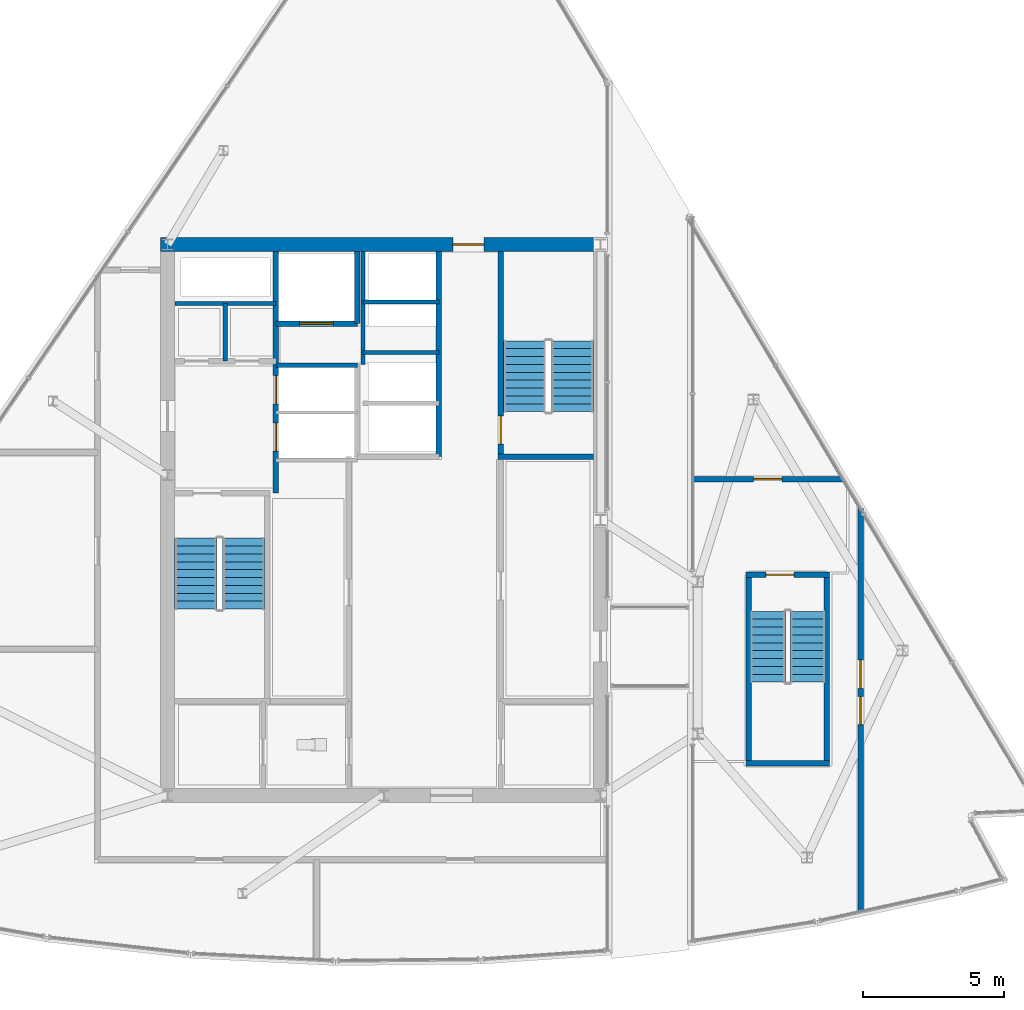
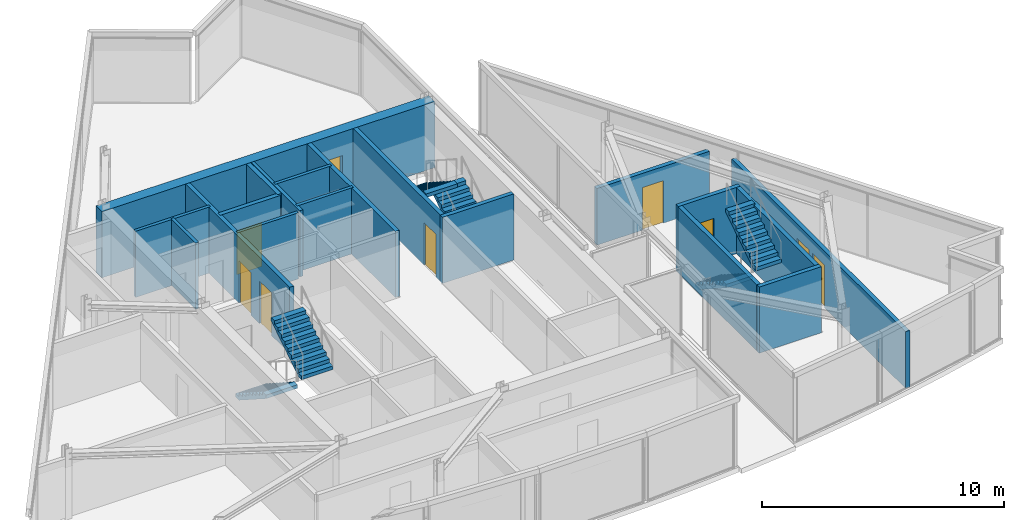
# One storey, part 10 of 15: 19 walls, 9 doors, 6 stair flights, 9 openings, 3 elements without a shape of their own.
"""IFC4 building model written with IfcOpenShell, lengths in metres."""

from ifc_helpers import new_model, si_unit, direction, frame, frame_2d, origin, place, context, subcontext, project, spatial, polyline, rectangle, outline, extrude, material, layer, layer_set, type_object, element, fill, aggregate, save


model = new_model("IFC4")

# Units and contexts
model_context = context("Model", 3, precision=1e-05, world=origin(), true_north=direction((0.0, 1.0)))
body_context = subcontext(model_context, "Body", "Model", "MODEL_VIEW")
ifc_project = project(units=[si_unit("LENGTHUNIT", "METRE"), si_unit("AREAUNIT", "SQUARE_METRE"), si_unit("VOLUMEUNIT", "CUBIC_METRE"), si_unit("PLANEANGLEUNIT", "RADIAN"), si_unit("MASSUNIT", "GRAM", prefix="KILO")], contexts=[model_context])

# Site, building, storey
site_placement = place(None, origin())
site = spatial("IfcSite", under=ifc_project, at=site_placement, CompositionType="ELEMENT")
building_placement = place(site_placement, origin())
building = spatial("IfcBuilding", under=site, at=building_placement, Name="Savorim Split Tower", CompositionType="ELEMENT")
storey_placement = place(building_placement, frame((0.0, 0.0, 297.60009765625)))
storey = spatial("IfcBuildingStorey", under=building, at=storey_placement, Name="Crown L79 Plant", CompositionType="ELEMENT", Elevation=297.60009765625)

# Wall, opening, door
ifc_material_1 = material(Name="Concrete C60/75", Category="concrete")
ifc_layer_1 = layer(ifc_material_1, 0.5)
ifc_layer_set_1 = layer_set([ifc_layer_1], Name="WAL-COR-SH500")
wall_type_1 = type_object("IfcWallType", Name="WAL-COR-SH500", PredefinedType="SHEAR", material=ifc_layer_set_1)
wall_1_placement = place(storey_placement, frame((7.949951171875, 10.199951171875, 0.0), z_axis=(0.0, 0.0, 1.0), x_axis=(-1.0, 0.0, 0.0)))
wall_1 = element("IfcWall", 1, at=wall_1_placement, inside=storey, type_object=wall_type_1, Name="Crown L79 Plant Offset Core North Shear Wall", PredefinedType="SHEAR", context=body_context, shape_type="SweptSolid", body=[
    extrude(rectangle(XDim=15.89990234375, YDim=0.5, at=frame_2d((7.949951171875, 0.0))), origin(), (0.0, 0.0, 1.0), 3.33984375),
])
opening_1_placement = place(wall_1_placement, frame((4.39990234375, 0.0, 0.0)))
opening_1 = element("IfcOpeningElement", 2, at=opening_1_placement, cuts=wall_1, Name="Opening DI-03", PredefinedType="OPENING", context=body_context, shape_type="SweptSolid", body=[
    extrude(rectangle(XDim=1.10009765625, YDim=2.14990234375, at=frame_2d((0.550048828125, 1.074951171875))), frame((0.0, 0.260009765625, 0.0), z_axis=(0.0, -1.0, 0.0), x_axis=(1.0, 0.0, 0.0)), (0.0, 0.0, 1.0), 0.52001953125),
])
ifc_material_2 = material(Name="Timber Fire Door Leaf", Category="wood")
door_type_1 = type_object("IfcDoorType", Name="DOR-FIR-1100", OperationType="NOTDEFINED", PredefinedType="DOOR", material=ifc_material_2)
door_1_placement = place(opening_1_placement, origin())
door_1 = element("IfcDoor", 3, at=door_1_placement, inside=storey, type_object=door_type_1, Name="DOR-Crown-L79-Plant-COR-NLOB - Crown L79 Plant North Corridor Lobby Fire Door", OperationType="SINGLE_SWING_RIGHT", OverallHeight=2.14990234375, OverallWidth=1.10009765625, PredefinedType="DOOR", context=body_context, shape_type="SweptSolid", body=[
    extrude(rectangle(XDim=1.10009765625, YDim=2.14990234375, at=frame_2d((0.550048828125, 1.074951171875))), frame((0.0, 0.02490234375, 0.0), z_axis=(0.0, -1.0, 0.0), x_axis=(1.0, 0.0, 0.0)), (0.0, 0.0, 1.0), 0.050048828125),
])
fill(opening_1, door_1)

# Wall, openings, doors
ifc_material_3 = material(Name="Concrete C50/60", Category="concrete")
ifc_layer_2 = layer(ifc_material_3, 0.199951171875)
ifc_layer_set_2 = layer_set([ifc_layer_2], Name="WAL-INT-RC200")
wall_type_2 = type_object("IfcWallType", Name="WAL-INT-RC200", PredefinedType="SOLIDWALL", material=ifc_layer_set_2)
wall_2_placement = place(storey_placement, frame((-3.85009765625, 1.35009765625, 0.0), z_axis=(0.0, 0.0, 1.0), x_axis=(0.0, 1.0, 0.0)))
wall_2 = element("IfcWall", 4, at=wall_2_placement, inside=storey, type_object=wall_type_2, Name="Crown L79 Plant Partition W-Crown-L79-Plant-CR03", PredefinedType="SOLIDWALL", context=body_context, shape_type="SweptSolid", body=[
    extrude(rectangle(XDim=8.594970703125, YDim=0.199951171875, at=frame_2d((4.29736328125, 0.0))), origin(), (0.0, 0.0, 1.0), 3.33984375),
])
opening_2_placement = place(wall_2_placement, frame((1.5, 0.0, 0.0)))
opening_2 = element("IfcOpeningElement", 5, at=opening_2_placement, cuts=wall_2, Name="Opening LD-FFL", PredefinedType="OPENING", context=body_context, shape_type="SweptSolid", body=[
    extrude(rectangle(XDim=1.0, YDim=2.14990234375, at=frame_2d((0.5, 1.074951171875))), frame((0.0, 0.10986328125, 0.0), z_axis=(0.0, -1.0, 0.0), x_axis=(1.0, 0.0, 0.0)), (0.0, 0.0, 1.0), 0.219970703125),
])
opening_3_placement = place(wall_2_placement, frame((3.179931640625, 0.0, 0.0)))
opening_3 = element("IfcOpeningElement", 6, at=opening_3_placement, cuts=wall_2, Name="Opening LD-FFL", PredefinedType="OPENING", context=body_context, shape_type="SweptSolid", body=[
    extrude(rectangle(XDim=1.0, YDim=2.14990234375, at=frame_2d((0.5, 1.074951171875))), frame((0.0, 0.10986328125, 0.0), z_axis=(0.0, -1.0, 0.0), x_axis=(1.0, 0.0, 0.0)), (0.0, 0.0, 1.0), 0.219970703125),
])
ifc_material_4 = material(Name="Charcoal Anodised Aluminium", Category="aluminium")
door_type_2 = type_object("IfcDoorType", Name="DOR-SLD-LD1000", OperationType="NOTDEFINED", PredefinedType="DOOR", material=ifc_material_4)
door_2_placement = place(opening_2_placement, origin())
door_2 = element("IfcDoor", 7, at=door_2_placement, inside=storey, type_object=door_type_2, Name="DR-Crown-L79-Plant-LD-FFL1 - Crown L79 Plant Firefighting Lift FFL-1 Sliding Landing Door", OperationType="DOUBLE_DOOR_SLIDING", OverallHeight=2.14990234375, OverallWidth=1.0, PredefinedType="DOOR", context=body_context, shape_type="SweptSolid", body=[
    extrude(rectangle(XDim=1.0, YDim=2.14990234375, at=frame_2d((0.5, 1.074951171875))), frame((0.0, 0.02490234375, 0.0), z_axis=(0.0, -1.0, 0.0), x_axis=(1.0, 0.0, 0.0)), (0.0, 0.0, 1.0), 0.050048828125),
])
fill(opening_2, door_2)
door_3_placement = place(opening_3_placement, origin())
door_3 = element("IfcDoor", 8, at=door_3_placement, inside=storey, type_object=door_type_2, Name="DR-Crown-L79-Plant-LD-FFL2 - Crown L79 Plant Firefighting Lift FFL-2 Sliding Landing Door", OperationType="DOUBLE_DOOR_SLIDING", OverallHeight=2.14990234375, OverallWidth=1.0, PredefinedType="DOOR", context=body_context, shape_type="SweptSolid", body=[
    extrude(rectangle(XDim=1.0, YDim=2.14990234375, at=frame_2d((0.5, 1.074951171875))), frame((0.0, 0.02490234375, 0.0), z_axis=(0.0, -1.0, 0.0), x_axis=(1.0, 0.0, 0.0)), (0.0, 0.0, 1.0), 0.050048828125),
])
fill(opening_3, door_3)

# Wall, opening, door
wall_3_placement = place(storey_placement, frame((4.14990234375, 2.75, 0.0), z_axis=(0.0, 0.0, 1.0), x_axis=(0.0, 1.0, 0.0)))
wall_3 = element("IfcWall", 9, at=wall_3_placement, inside=storey, type_object=wall_type_2, Name="Crown L79 Plant Structural Shaft Wall W-Crown-L79-Plant-CR07", PredefinedType="SOLIDWALL", context=body_context, shape_type="SweptSolid", body=[
    extrude(rectangle(XDim=7.199951171875, YDim=0.199951171875, at=frame_2d((3.60009765625, 0.0))), origin(), (0.0, 0.0, 1.0), 3.33984375),
])
opening_4_placement = place(wall_3_placement, frame((0.35009765625, 0.0, 0.0)))
opening_4 = element("IfcOpeningElement", 10, at=opening_4_placement, cuts=wall_3, Name="Opening DI-04", PredefinedType="OPENING", context=body_context, shape_type="SweptSolid", body=[
    extrude(rectangle(XDim=1.0, YDim=2.14990234375, at=frame_2d((0.5, 1.074951171875))), frame((0.0, 0.10986328125, 0.0), z_axis=(0.0, -1.0, 0.0), x_axis=(1.0, 0.0, 0.0)), (0.0, 0.0, 1.0), 0.219970703125),
])
door_type_3 = type_object("IfcDoorType", Name="DOR-FIR-1000", OperationType="NOTDEFINED", PredefinedType="DOOR", material=ifc_material_2)
door_4_placement = place(opening_4_placement, origin())
door_4 = element("IfcDoor", 11, at=door_4_placement, inside=storey, type_object=door_type_3, Name="DR-Crown-L79-Plant-ST2 - Crown L79 Plant Stair ST-2 Enclosure Door", OperationType="SINGLE_SWING_RIGHT", OverallHeight=2.14990234375, OverallWidth=1.0, PredefinedType="DOOR", context=body_context, shape_type="SweptSolid", body=[
    extrude(rectangle(XDim=1.0, YDim=2.14990234375, at=frame_2d((0.5, 1.074951171875))), frame((0.0, 0.02490234375, 0.0), z_axis=(0.0, -1.0, 0.0), x_axis=(1.0, 0.0, 0.0)), (0.0, 0.0, 1.0), 0.050048828125),
])
fill(opening_4, door_4)

# Wall
wall_4_placement = place(storey_placement, frame((4.050048828125, 2.64990234375, 0.0), z_axis=(0.0, 0.0, 1.0), x_axis=(1.0, 0.0, 0.0)))
element("IfcWall", 12, at=wall_4_placement, inside=storey, type_object=wall_type_2, Name="Crown L79 Plant Structural Shaft Wall W-Crown-L79-Plant-CR08", PredefinedType="SOLIDWALL", context=body_context, shape_type="SweptSolid", body=[
    extrude(rectangle(XDim=3.39990234375, YDim=0.199951171875, at=frame_2d((1.699951171875, 0.0))), origin(), (0.0, 0.0, 1.0), 3.33984375),
])

# Wall, opening, door
wall_5_placement = place(storey_placement, frame((-3.85009765625, 7.3798828125, 0.0), z_axis=(0.0, 0.0, 1.0), x_axis=(1.0, 0.0, 0.0)))
wall_5 = element("IfcWall", 13, at=wall_5_placement, inside=storey, type_object=wall_type_2, Name="Crown L79 Plant Partition W-Crown-L79-Plant-SVLS", PredefinedType="SOLIDWALL", context=body_context, shape_type="SweptSolid", body=[
    extrude(rectangle(XDim=2.900146484375, YDim=0.199951171875, at=frame_2d((1.4501953125, 0.0))), origin(), (0.0, 0.0, 1.0), 3.33984375),
])
opening_5_placement = place(wall_5_placement, frame((0.85009765625, 0.0, 0.0)))
opening_5 = element("IfcOpeningElement", 14, at=opening_5_placement, cuts=wall_5, Name="Opening LD-SV", PredefinedType="OPENING", context=body_context, shape_type="SweptSolid", body=[
    extrude(rectangle(XDim=1.199951171875, YDim=2.199951171875, at=frame_2d((0.60009765625, 1.10009765625))), frame((0.0, 0.10986328125, 0.0), z_axis=(0.0, -1.0, 0.0), x_axis=(1.0, 0.0, 0.0)), (0.0, 0.0, 1.0), 0.219970703125),
])
door_type_4 = type_object("IfcDoorType", Name="DOR-SLD-SV1200", OperationType="NOTDEFINED", PredefinedType="DOOR", material=ifc_material_4)
door_5_placement = place(opening_5_placement, origin())
door_5 = element("IfcDoor", 15, at=door_5_placement, inside=storey, type_object=door_type_4, Name="DR-Crown-L79-Plant-LD-SVL1 - Crown L79 Plant Service Lift SVL-1 Sliding Landing Door", OperationType="DOUBLE_DOOR_SLIDING", OverallHeight=2.199951171875, OverallWidth=1.199951171875, PredefinedType="DOOR", context=body_context, shape_type="SweptSolid", body=[
    extrude(rectangle(XDim=1.199951171875, YDim=2.199951171875, at=frame_2d((0.60009765625, 1.10009765625))), frame((0.0, 0.02490234375, 0.0), z_axis=(0.0, -1.0, 0.0), x_axis=(1.0, 0.0, 0.0)), (0.0, 0.0, 1.0), 0.050048828125),
])
fill(opening_5, door_5)

# Walls
wall_6_placement = place(storey_placement, frame((-0.949951171875, 7.3798828125, 0.0), z_axis=(0.0, 0.0, 1.0), x_axis=(0.0, 1.0, 0.0)))
element("IfcWall", 16, at=wall_6_placement, inside=storey, type_object=wall_type_2, Name="Crown L79 Plant Partition W-Crown-L79-Plant-SVLE", PredefinedType="SOLIDWALL", context=body_context, shape_type="SweptSolid", body=[
    extrude(rectangle(XDim=2.565185546875, YDim=0.199951171875, at=frame_2d((1.28271484375, 0.0))), origin(), (0.0, 0.0, 1.0), 3.33984375),
])
wall_7_placement = place(storey_placement, frame((1.949951171875, 2.64990234375, 0.0), z_axis=(0.0, 0.0, 1.0), x_axis=(0.0, 1.0, 0.0)))
element("IfcWall", 17, at=wall_7_placement, inside=storey, type_object=wall_type_2, Name="Crown L79 Plant Partition W-Crown-L79-Plant-B3FRONT", PredefinedType="SOLIDWALL", context=body_context, shape_type="SweptSolid", body=[
    extrude(rectangle(XDim=7.295166015625, YDim=0.199951171875, at=frame_2d((3.6474609375, 0.0))), origin(), (0.0, 0.0, 1.0), 3.33984375),
])
wall_8_placement = place(storey_placement, frame((12.8798828125, -8.25, 0.0), z_axis=(0.0, 0.0, 1.0), x_axis=(1.0, 0.0, 0.0)))
element("IfcWall", 18, at=wall_8_placement, inside=storey, type_object=wall_type_2, Name="Crown L79 Plant Structural Shaft Wall W-Crown-L79-Plant-STCES", PredefinedType="SOLIDWALL", context=body_context, shape_type="SweptSolid", body=[
    extrude(rectangle(XDim=2.97021484375, YDim=0.199951171875, at=frame_2d((1.485107421875, 0.0))), origin(), (0.0, 0.0, 1.0), 3.33984375),
])

# Wall, opening, door
wall_9_placement = place(storey_placement, frame((12.8798828125, -1.550048828125, 0.0), z_axis=(0.0, 0.0, 1.0), x_axis=(1.0, 0.0, 0.0)))
wall_9 = element("IfcWall", 19, at=wall_9_placement, inside=storey, type_object=wall_type_2, Name="Crown L79 Plant Structural Shaft Wall W-Crown-L79-Plant-STCEN", PredefinedType="SOLIDWALL", context=body_context, shape_type="SweptSolid", body=[
    extrude(rectangle(XDim=2.97021484375, YDim=0.199951171875, at=frame_2d((1.485107421875, 0.0))), origin(), (0.0, 0.0, 1.0), 3.33984375),
])
opening_6_placement = place(wall_9_placement, frame((0.699951171875, 0.0, 0.0)))
opening_6 = element("IfcOpeningElement", 20, at=opening_6_placement, cuts=wall_9, Name="Opening DI-04", PredefinedType="OPENING", context=body_context, shape_type="SweptSolid", body=[
    extrude(rectangle(XDim=1.0, YDim=2.14990234375, at=frame_2d((0.5, 1.074951171875))), frame((0.0, 0.10986328125, 0.0), z_axis=(0.0, -1.0, 0.0), x_axis=(1.0, 0.0, 0.0)), (0.0, 0.0, 1.0), 0.219970703125),
])
door_6_placement = place(opening_6_placement, origin())
door_6 = element("IfcDoor", 21, at=door_6_placement, inside=storey, type_object=door_type_3, Name="DR-Crown-L79-Plant-STCE - Crown L79 Plant East Crown Stair Door", OperationType="SINGLE_SWING_RIGHT", OverallHeight=2.14990234375, OverallWidth=1.0, PredefinedType="DOOR", context=body_context, shape_type="SweptSolid", body=[
    extrude(rectangle(XDim=1.0, YDim=2.14990234375, at=frame_2d((0.5, 1.074951171875))), frame((0.0, 0.02490234375, 0.0), z_axis=(0.0, -1.0, 0.0), x_axis=(1.0, 0.0, 0.0)), (0.0, 0.0, 1.0), 0.050048828125),
])
fill(opening_6, door_6)

# Walls
for number, where, z_axis, x_axis, name in (
    (22, (12.969970703125, -8.14990234375, 0.0), (0.0, 0.0, 1.0), (0.0, 1.0, 0.0), "Crown L79 Plant Structural Shaft Wall W-Crown-L79-Plant-STCEW"),
    (23, (15.75, -8.14990234375, 0.0), (0.0, 0.0, 1.0), (0.0, 1.0, 0.0), "Crown L79 Plant Structural Shaft Wall W-Crown-L79-Plant-STCEE"),
):
    element("IfcWall", number, at=place(storey_placement, frame(where, z_axis=z_axis, x_axis=x_axis)), inside=storey, type_object=wall_type_2, Name=name, PredefinedType="SOLIDWALL", context=body_context, shape_type="SweptSolid", body=[
        extrude(rectangle(XDim=6.5, YDim=0.199951171875, at=frame_2d((3.25, 0.0))), origin(), (0.0, 0.0, 1.0), 3.33984375),
    ])

# Wall, openings, doors
wall_10_placement = place(storey_placement, frame((16.949951171875, -13.57568359375, 0.0), z_axis=(0.0, 0.0, 1.0), x_axis=(0.0, 1.0, 0.0)))
wall_10 = element("IfcWall", 24, at=wall_10_placement, inside=storey, type_object=wall_type_2, Name="Crown L79 Plant Partition W-Crown-L79-Plant-ECE", PredefinedType="SOLIDWALL", context=body_context, shape_type="SweptSolid", body=[
    extrude(rectangle(XDim=14.38330078125, YDim=0.199951171875, at=frame_2d((7.191650390625, 0.0))), origin(), (0.0, 0.0, 1.0), 2.864990234375),
])
opening_7_placement = place(wall_10_placement, frame((6.691650390625, 0.0, 0.0)))
opening_7 = element("IfcOpeningElement", 25, at=opening_7_placement, cuts=wall_10, Name="Opening DI-04", PredefinedType="OPENING", context=body_context, shape_type="SweptSolid", body=[
    extrude(rectangle(XDim=1.0, YDim=2.14990234375, at=frame_2d((0.5, 1.074951171875))), frame((0.0, 0.10986328125, 0.0), z_axis=(0.0, -1.0, 0.0), x_axis=(1.0, 0.0, 0.0)), (0.0, 0.0, 1.0), 0.219970703125),
])
opening_8_placement = place(wall_10_placement, frame((7.98779296875, 0.0, 0.0)))
opening_8 = element("IfcOpeningElement", 26, at=opening_8_placement, cuts=wall_10, Name="Opening DI-04", PredefinedType="OPENING", context=body_context, shape_type="SweptSolid", body=[
    extrude(rectangle(XDim=1.0, YDim=2.14990234375, at=frame_2d((0.5, 1.074951171875))), frame((0.0, 0.10986328125, 0.0), z_axis=(0.0, -1.0, 0.0), x_axis=(1.0, 0.0, 0.0)), (0.0, 0.0, 1.0), 0.219970703125),
])
door_7_placement = place(opening_7_placement, origin())
door_7 = element("IfcDoor", 27, at=door_7_placement, inside=storey, type_object=door_type_3, Name="DR-Crown-L79-Plant-ERM01 - Crown L79 Plant East Cooling Plant Room Entry Door", OperationType="SINGLE_SWING_RIGHT", OverallHeight=2.14990234375, OverallWidth=1.0, PredefinedType="DOOR", context=body_context, shape_type="SweptSolid", body=[
    extrude(rectangle(XDim=1.0, YDim=2.14990234375, at=frame_2d((0.5, 1.074951171875))), frame((0.0, 0.02490234375, 0.0), z_axis=(0.0, -1.0, 0.0), x_axis=(1.0, 0.0, 0.0)), (0.0, 0.0, 1.0), 0.050048828125),
])
fill(opening_7, door_7)
door_8_placement = place(opening_8_placement, origin())
door_8 = element("IfcDoor", 28, at=door_8_placement, inside=storey, type_object=door_type_3, Name="DR-Crown-L79-Plant-ERM02 - Crown L79 Plant East Heat Recovery AHU Plant Room Entry Door", OperationType="SINGLE_SWING_LEFT", OverallHeight=2.14990234375, OverallWidth=1.0, PredefinedType="DOOR", context=body_context, shape_type="SweptSolid", body=[
    extrude(rectangle(XDim=1.0, YDim=2.14990234375, at=frame_2d((0.5, 1.074951171875))), frame((0.0, 0.02490234375, 0.0), z_axis=(0.0, -1.0, 0.0), x_axis=(1.0, 0.0, 0.0)), (0.0, 0.0, 1.0), 0.050048828125),
])
fill(opening_8, door_8)

# Wall, opening, door
wall_11_placement = place(storey_placement, frame((10.9599609375, 1.85009765625, 0.0), z_axis=(0.0, 0.0, 1.0), x_axis=(1.0, 0.0, 0.0)))
wall_11 = element("IfcWall", 29, at=wall_11_placement, inside=storey, type_object=wall_type_2, Name="Crown L79 Plant Partition W-Crown-L79-Plant-ECN", PredefinedType="SOLIDWALL", context=body_context, shape_type="SweptSolid", body=[
    extrude(rectangle(XDim=5.3701171875, YDim=0.199951171875, at=frame_2d((2.68505859375, 0.0))), origin(), (0.0, 0.0, 1.0), 2.864990234375),
])
opening_9_placement = place(wall_11_placement, frame((2.18505859375, 0.0, 0.0)))
opening_9 = element("IfcOpeningElement", 30, at=opening_9_placement, cuts=wall_11, Name="Opening DI-04", PredefinedType="OPENING", context=body_context, shape_type="SweptSolid", body=[
    extrude(rectangle(XDim=1.0, YDim=2.14990234375, at=frame_2d((0.5, 1.074951171875))), frame((0.0, 0.10986328125, 0.0), z_axis=(0.0, -1.0, 0.0), x_axis=(1.0, 0.0, 0.0)), (0.0, 0.0, 1.0), 0.219970703125),
])
door_9_placement = place(opening_9_placement, origin())
door_9 = element("IfcDoor", 31, at=door_9_placement, inside=storey, type_object=door_type_3, Name="DR-Crown-L79-Plant-ERM03 - Crown L79 Plant East Cooling Plant Room Entry Door", OperationType="SINGLE_SWING_RIGHT", OverallHeight=2.14990234375, OverallWidth=1.0, PredefinedType="DOOR", context=body_context, shape_type="SweptSolid", body=[
    extrude(rectangle(XDim=1.0, YDim=2.14990234375, at=frame_2d((0.5, 1.074951171875))), frame((0.0, 0.02490234375, 0.0), z_axis=(0.0, -1.0, 0.0), x_axis=(1.0, 0.0, 0.0)), (0.0, 0.0, 1.0), 0.050048828125),
])
fill(opening_9, door_9)

# Walls
ifc_material_5 = material(Name="Acoustic Gypsum Partition Board")
ifc_layer_3 = layer(ifc_material_5, 0.14990234375)
ifc_layer_set_3 = layer_set([ifc_layer_3], Name="WAL-PAR-150")
wall_type_3 = type_object("IfcWallType", Name="WAL-PAR-150", PredefinedType="PARTITIONING", material=ifc_layer_set_3)
wall_12_placement = place(storey_placement, frame((-7.445068359375, 8.10009765625, 0.0), z_axis=(0.0, 0.0, 1.0), x_axis=(1.0, 0.0, 0.0)))
element("IfcWall", 32, at=wall_12_placement, inside=storey, type_object=wall_type_3, Name="Crown L79 Plant Partition W-Crown-L79-Plant-CR05", PredefinedType="PARTITIONING", context=body_context, shape_type="SweptSolid", body=[
    extrude(rectangle(XDim=3.594970703125, YDim=0.14990234375, at=frame_2d((1.79736328125, 0.0))), origin(), (0.0, 0.0, 1.0), 3.33984375),
])
wall_13_placement = place(storey_placement, frame((-5.64990234375, 6.050048828125, 0.0), z_axis=(0.0, 0.0, 1.0), x_axis=(0.0, 1.0, 0.0)))
element("IfcWall", 33, at=wall_13_placement, inside=storey, type_object=wall_type_3, Name="Crown L79 Plant Partition W-Crown-L79-Plant-CR06", PredefinedType="PARTITIONING", context=body_context, shape_type="SweptSolid", body=[
    extrude(rectangle(XDim=2.050048828125, YDim=0.14990234375, at=frame_2d((1.02490234375, 0.0))), origin(), (0.0, 0.0, 1.0), 3.33984375),
])
wall_14_placement = place(storey_placement, frame((-3.85009765625, 5.89990234375, 0.0), z_axis=(0.0, 0.0, 1.0), x_axis=(1.0, 0.0, 0.0)))
element("IfcWall", 34, at=wall_14_placement, inside=storey, type_object=wall_type_3, Name="Crown L79 Plant Partition W-Crown-L79-Plant-FFLD2", PredefinedType="PARTITIONING", context=body_context, shape_type="SweptSolid", body=[
    extrude(rectangle(XDim=2.900146484375, YDim=0.14990234375, at=frame_2d((1.4501953125, 0.0))), origin(), (0.0, 0.0, 1.0), 3.33984375),
])
wall_15_placement = place(storey_placement, frame((-0.75, 5.919921875, 0.0), z_axis=(0.0, 0.0, 1.0), x_axis=(0.0, 1.0, 0.0)))
element("IfcWall", 35, at=wall_15_placement, inside=storey, type_object=wall_type_3, Name="Crown L79 Plant Partition W-Crown-L79-Plant-B3WEST", PredefinedType="PARTITIONING", context=body_context, shape_type="SweptSolid", body=[
    extrude(rectangle(XDim=4.025146484375, YDim=0.14990234375, at=frame_2d((2.0126953125, 0.0))), origin(), (0.0, 0.0, 1.0), 3.33984375),
])
for number, where, z_axis, x_axis, name in (
    (36, (-0.75, 6.35009765625, 0.0), (0.0, 0.0, 1.0), (1.0, 0.0, 0.0), "Crown L79 Plant Partition W-Crown-L79-Plant-B3DIV2"),
    (37, (-0.75, 8.14990234375, 0.0), (0.0, 0.0, 1.0), (1.0, 0.0, 0.0), "Crown L79 Plant Partition W-Crown-L79-Plant-B3DIV3"),
):
    element("IfcWall", number, at=place(storey_placement, frame(where, z_axis=z_axis, x_axis=x_axis)), inside=storey, type_object=wall_type_3, Name=name, PredefinedType="PARTITIONING", context=body_context, shape_type="SweptSolid", body=[
        extrude(rectangle(XDim=2.699951171875, YDim=0.14990234375, at=frame_2d((1.35009765625, 0.0))), origin(), (0.0, 0.0, 1.0), 3.33984375),
    ])

# Stair, stair flights
stair_type_1 = type_object("IfcStairType", Name="STR-CRN-3600", PredefinedType="HALF_TURN_STAIR", material=ifc_material_3)
stair_1_placement = place(storey_placement, origin())
stair_1 = element("IfcStair", 38, at=stair_1_placement, inside=storey, type_object=stair_type_1, Name="Crown L79 Plant East Crown Peak Internal Plant Stair ST-CRN-E", PredefinedType="HALF_TURN_STAIR")
stair_flight_type_1 = type_object("IfcStairFlightType", Name="SFL-CRN-3600", PredefinedType="STRAIGHT", material=ifc_material_3)
stair_flight_1_placement = place(storey_placement, frame((13.64501953125, -2.85009765625, 0.0), z_axis=(0.0, 0.0, 1.0), x_axis=(0.0, -1.0, 0.0)))
stair_flight_1 = element("IfcStairFlight", 39, at=stair_flight_1_placement, type_object=stair_flight_type_1, Name="ST-CRN-E flight 1", NumberOfRisers=10, NumberOfTreads=9, PredefinedType="STRAIGHT", RiserHeight=0.18, TreadLength=0.28, context=body_context, shape_type="SweptSolid", body=[
    extrude(outline(polyline([(0.0, 0.0), (0.0, 0.179931640625), (0.280029296875, 0.179931640625), (0.280029296875, 0.360107421875), (0.56005859375, 0.360107421875), (0.56005859375, 0.5400390625), (0.840087890625, 0.5400390625), (0.840087890625, 0.719970703125), (1.1201171875, 0.719970703125), (1.1201171875, 0.89990234375), (1.39990234375, 0.89990234375), (1.39990234375, 1.080078125), (1.679931640625, 1.080078125), (1.679931640625, 1.260009765625), (1.9599609375, 1.260009765625), (1.9599609375, 1.43994140625), (2.239990234375, 1.43994140625), (2.239990234375, 1.6201171875), (2.52001953125, 1.6201171875), (2.52001953125, 1.800048828125), (2.52001953125, 1.44189453125), (0.277099609375, 0.0), (0.0, 0.0)])), frame((0.0, 0.625, 0.0), z_axis=(0.0, -1.0, 0.0), x_axis=(1.0, 0.0, 0.0)), (0.0, 0.0, 1.0), 1.25),
])
stair_flight_2_placement = place(storey_placement, frame((15.074951171875, -5.3701171875, 1.7998046875), z_axis=(0.0, 0.0, 1.0), x_axis=(0.0, 1.0, 0.0)))
stair_flight_2 = element("IfcStairFlight", 40, at=stair_flight_2_placement, type_object=stair_flight_type_1, Name="ST-CRN-E flight 2", NumberOfRisers=10, NumberOfTreads=9, PredefinedType="STRAIGHT", RiserHeight=0.18, TreadLength=0.28, context=body_context, shape_type="SweptSolid", body=[
    extrude(outline(polyline([(0.0, 0.0), (0.0, 0.179931640625), (0.280029296875, 0.179931640625), (0.280029296875, 0.360107421875), (0.56005859375, 0.360107421875), (0.56005859375, 0.5400390625), (0.840087890625, 0.5400390625), (0.840087890625, 0.719970703125), (1.1201171875, 0.719970703125), (1.1201171875, 0.89990234375), (1.39990234375, 0.89990234375), (1.39990234375, 1.080078125), (1.679931640625, 1.080078125), (1.679931640625, 1.260009765625), (1.9599609375, 1.260009765625), (1.9599609375, 1.43994140625), (2.239990234375, 1.43994140625), (2.239990234375, 1.6201171875), (2.52001953125, 1.6201171875), (2.52001953125, 1.800048828125), (2.52001953125, 1.44189453125), (0.277099609375, 0.0), (0.0, 0.0)])), frame((0.0, 0.625, 0.0), z_axis=(0.0, -1.0, 0.0), x_axis=(1.0, 0.0, 0.0)), (0.0, 0.0, 1.0), 1.25),
])
aggregate(stair_1, [stair_flight_1, stair_flight_2])

stair_type_2 = type_object("IfcStairType", Name="STR-DOG-3600", PredefinedType="HALF_TURN_STAIR", material=ifc_material_3)
stair_2_placement = place(storey_placement, origin())
stair_2 = element("IfcStair", 41, at=stair_2_placement, inside=storey, type_object=stair_type_2, Name="Crown L79 Plant Core Protected Exit Stair ST-1", PredefinedType="HALF_TURN_STAIR")
stair_flight_type_2 = type_object("IfcStairFlightType", Name="SFL-DOG-3600", PredefinedType="STRAIGHT", material=ifc_material_3)
stair_flight_3_placement = place(storey_placement, frame((-6.699951171875, -0.25, 0.0), z_axis=(0.0, 0.0, 1.0), x_axis=(0.0, -1.0, 0.0)))
stair_flight_3 = element("IfcStairFlight", 42, at=stair_flight_3_placement, type_object=stair_flight_type_2, Name="ST-1 flight 1", NumberOfRisers=10, NumberOfTreads=9, PredefinedType="STRAIGHT", RiserHeight=0.18, TreadLength=0.28, context=body_context, shape_type="SweptSolid", body=[
    extrude(outline(polyline([(0.0, 0.0), (0.0, 0.179931640625), (0.280029296875, 0.179931640625), (0.280029296875, 0.360107421875), (0.56005859375, 0.360107421875), (0.56005859375, 0.5400390625), (0.840087890625, 0.5400390625), (0.840087890625, 0.719970703125), (1.1201171875, 0.719970703125), (1.1201171875, 0.89990234375), (1.39990234375, 0.89990234375), (1.39990234375, 1.080078125), (1.679931640625, 1.080078125), (1.679931640625, 1.260009765625), (1.9599609375, 1.260009765625), (1.9599609375, 1.43994140625), (2.239990234375, 1.43994140625), (2.239990234375, 1.6201171875), (2.52001953125, 1.6201171875), (2.52001953125, 1.800048828125), (2.52001953125, 1.44189453125), (0.277099609375, 0.0), (0.0, 0.0)])), frame((0.0, 0.75, 0.0), z_axis=(0.0, -1.0, 0.0), x_axis=(1.0, 0.0, 0.0)), (0.0, 0.0, 1.0), 1.5),
])
stair_flight_4_placement = place(storey_placement, frame((-5.0, -2.77001953125, 1.7998046875), z_axis=(0.0, 0.0, 1.0), x_axis=(0.0, 1.0, 0.0)))
stair_flight_4 = element("IfcStairFlight", 43, at=stair_flight_4_placement, type_object=stair_flight_type_2, Name="ST-1 flight 2", NumberOfRisers=10, NumberOfTreads=9, PredefinedType="STRAIGHT", RiserHeight=0.18, TreadLength=0.28, context=body_context, shape_type="SweptSolid", body=[
    extrude(outline(polyline([(0.0, 0.0), (0.0, 0.179931640625), (0.280029296875, 0.179931640625), (0.280029296875, 0.360107421875), (0.56005859375, 0.360107421875), (0.56005859375, 0.5400390625), (0.840087890625, 0.5400390625), (0.840087890625, 0.719970703125), (1.1201171875, 0.719970703125), (1.1201171875, 0.89990234375), (1.39990234375, 0.89990234375), (1.39990234375, 1.080078125), (1.679931640625, 1.080078125), (1.679931640625, 1.260009765625), (1.9599609375, 1.260009765625), (1.9599609375, 1.43994140625), (2.239990234375, 1.43994140625), (2.239990234375, 1.6201171875), (2.52001953125, 1.6201171875), (2.52001953125, 1.800048828125), (2.52001953125, 1.44189453125), (0.277099609375, 0.0), (0.0, 0.0)])), frame((0.0, 0.75, 0.0), z_axis=(0.0, -1.0, 0.0), x_axis=(1.0, 0.0, 0.0)), (0.0, 0.0, 1.0), 1.5),
])
aggregate(stair_2, [stair_flight_3, stair_flight_4])

stair_3_placement = place(storey_placement, origin())
stair_3 = element("IfcStair", 44, at=stair_3_placement, inside=storey, type_object=stair_type_2, Name="Crown L79 Plant Core Protected Exit Stair ST-2", PredefinedType="HALF_TURN_STAIR")
stair_flight_5_placement = place(storey_placement, frame((6.699951171875, 4.25, 0.0), z_axis=(0.0, 0.0, 1.0), x_axis=(0.0, 1.0, 0.0)))
stair_flight_5 = element("IfcStairFlight", 45, at=stair_flight_5_placement, type_object=stair_flight_type_2, Name="ST-2 flight 1", NumberOfRisers=10, NumberOfTreads=9, PredefinedType="STRAIGHT", RiserHeight=0.18, TreadLength=0.28, context=body_context, shape_type="SweptSolid", body=[
    extrude(outline(polyline([(0.0, 0.0), (0.0, 0.179931640625), (0.280029296875, 0.179931640625), (0.280029296875, 0.360107421875), (0.56005859375, 0.360107421875), (0.56005859375, 0.5400390625), (0.840087890625, 0.5400390625), (0.840087890625, 0.719970703125), (1.1201171875, 0.719970703125), (1.1201171875, 0.89990234375), (1.39990234375, 0.89990234375), (1.39990234375, 1.080078125), (1.679931640625, 1.080078125), (1.679931640625, 1.260009765625), (1.9599609375, 1.260009765625), (1.9599609375, 1.43994140625), (2.239990234375, 1.43994140625), (2.239990234375, 1.6201171875), (2.52001953125, 1.6201171875), (2.52001953125, 1.800048828125), (2.52001953125, 1.44189453125), (0.277099609375, 0.0), (0.0, 0.0)])), frame((0.0, 0.75, 0.0), z_axis=(0.0, -1.0, 0.0), x_axis=(1.0, 0.0, 0.0)), (0.0, 0.0, 1.0), 1.5),
])
stair_flight_6_placement = place(storey_placement, frame((5.0, 6.77001953125, 1.7998046875), z_axis=(0.0, 0.0, 1.0), x_axis=(0.0, -1.0, 0.0)))
stair_flight_6 = element("IfcStairFlight", 46, at=stair_flight_6_placement, type_object=stair_flight_type_2, Name="ST-2 flight 2", NumberOfRisers=10, NumberOfTreads=9, PredefinedType="STRAIGHT", RiserHeight=0.18, TreadLength=0.28, context=body_context, shape_type="SweptSolid", body=[
    extrude(outline(polyline([(0.0, 0.0), (0.0, 0.179931640625), (0.280029296875, 0.179931640625), (0.280029296875, 0.360107421875), (0.56005859375, 0.360107421875), (0.56005859375, 0.5400390625), (0.840087890625, 0.5400390625), (0.840087890625, 0.719970703125), (1.1201171875, 0.719970703125), (1.1201171875, 0.89990234375), (1.39990234375, 0.89990234375), (1.39990234375, 1.080078125), (1.679931640625, 1.080078125), (1.679931640625, 1.260009765625), (1.9599609375, 1.260009765625), (1.9599609375, 1.43994140625), (2.239990234375, 1.43994140625), (2.239990234375, 1.6201171875), (2.52001953125, 1.6201171875), (2.52001953125, 1.800048828125), (2.52001953125, 1.44189453125), (0.277099609375, 0.0), (0.0, 0.0)])), frame((0.0, 0.75, 0.0), z_axis=(0.0, -1.0, 0.0), x_axis=(1.0, 0.0, 0.0)), (0.0, 0.0, 1.0), 1.5),
])
aggregate(stair_3, [stair_flight_5, stair_flight_6])

save(model, "model.ifc")
